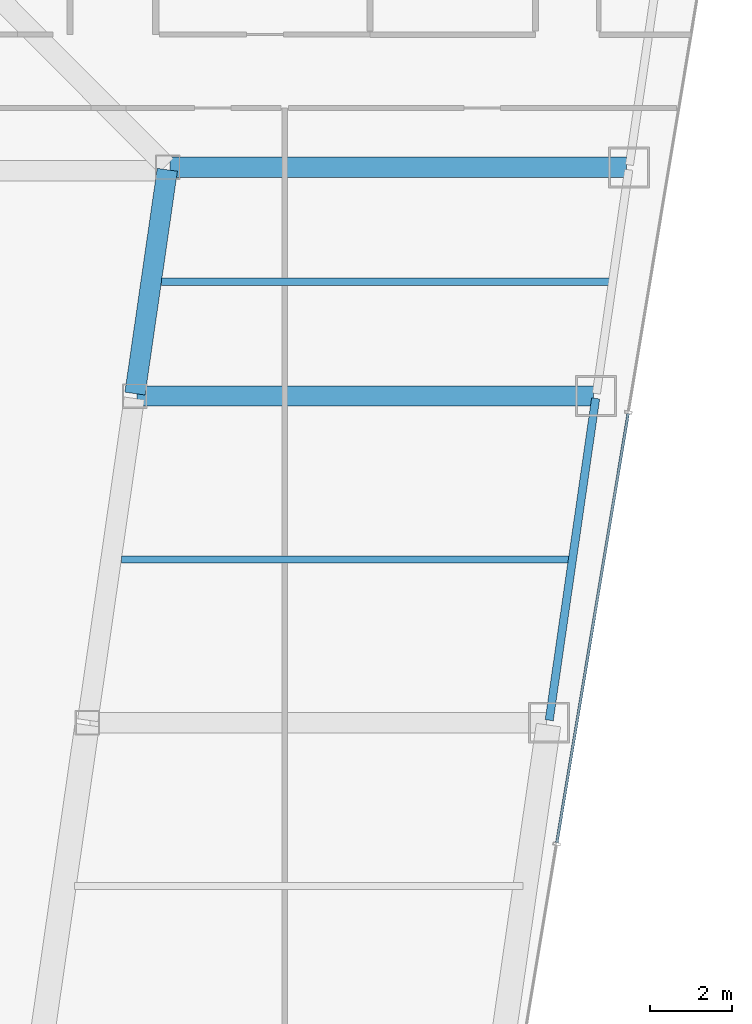
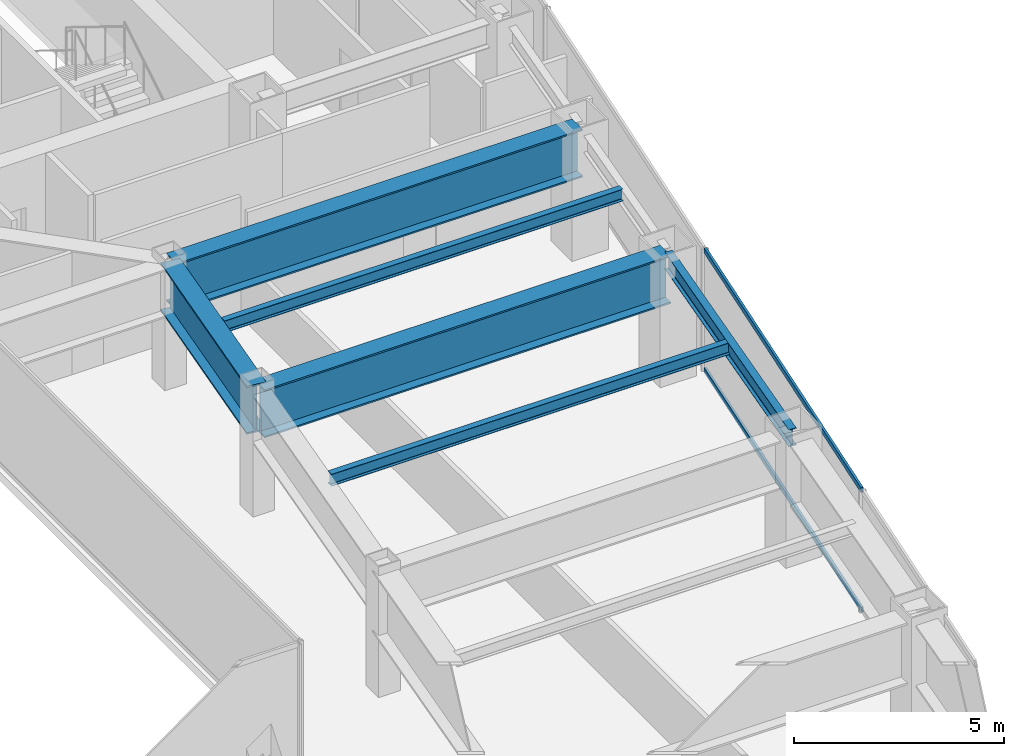
# One storey, part 17 of 37: 6 beams, 2 members, 1 element without a shape of its own.
"""IFC4 building model written with IfcOpenShell, lengths in metres."""

from ifc_helpers import new_model, si_unit, direction, frame, origin, origin_2d, place, context, subcontext, project, spatial, hollow_rectangle, i_section, extrude, material, material_profile, profile_set, type_object, element, aggregate, save


model = new_model("IFC4")

# Units and contexts
model_context = context("Model", 3, precision=1e-05, world=origin(), true_north=direction((0.0, 1.0)))
body_context = subcontext(model_context, "Body", "Model", "MODEL_VIEW")
ifc_project = project(units=[si_unit("LENGTHUNIT", "METRE"), si_unit("AREAUNIT", "SQUARE_METRE"), si_unit("VOLUMEUNIT", "CUBIC_METRE"), si_unit("PLANEANGLEUNIT", "RADIAN"), si_unit("MASSUNIT", "GRAM", prefix="KILO")], contexts=[model_context])

# Site, building, storey
site_placement = place(None, origin())
site = spatial("IfcSite", under=ifc_project, at=site_placement, CompositionType="ELEMENT")
building_placement = place(site_placement, origin())
building = spatial("IfcBuilding", under=site, at=building_placement, Name="Saevonmaru Cultural Tower", CompositionType="ELEMENT")
storey_placement = place(building_placement, frame((0.0, 0.0, 163.800048828125)))
storey = spatial("IfcBuildingStorey", under=building, at=storey_placement, Name="L36", CompositionType="ELEMENT", Elevation=163.800048828125)

# Beams
ifc_material_1 = material(Name="Steel SM355", Category="steel")
ifc_material_profile_1 = material_profile(ifc_material_1, i_section(OverallWidth=0.175048828125, OverallDepth=0.35009765625, WebThickness=0.007080078125, FlangeThickness=0.010986328125, FilletRadius=0.012939453125, at=origin_2d()), Name="H-350x175x7x11")
ifc_profile_set_1 = profile_set([ifc_material_profile_1], Name="Steel SM355")
beam_type_1 = type_object("IfcBeamType", Name="BM-J-H350", PredefinedType="JOIST", material=ifc_profile_set_1)
beam_1_placement = place(storey_placement, frame((40.0634765625, 28.0, 3.375), z_axis=(1.0, 0.0, 0.0), x_axis=(0.0, 1.0, 0.0)))
element("IfcBeam", 1, at=beam_1_placement, inside=storey, type_object=beam_type_1, Name="L36 East Wing Floor Joist 3", PredefinedType="JOIST", context=body_context, shape_type="SweptSolid", body=[
    extrude(i_section(OverallWidth=0.175048828125, OverallDepth=0.35009765625, WebThickness=0.007080078125, FlangeThickness=0.010986328125, FilletRadius=0.012939453125, at=origin_2d()), origin(), (0.0, 0.0, 1.0), 10.98193359375),
])
beam_2_placement = place(storey_placement, frame((41.04541015625, 34.800048828125, 3.375), z_axis=(1.0, 0.0, 0.0), x_axis=(0.0, 1.0, 0.0)))
element("IfcBeam", 2, at=beam_2_placement, inside=storey, type_object=beam_type_1, Name="L36 East Wing Floor Joist 4", PredefinedType="JOIST", context=body_context, shape_type="SweptSolid", body=[
    extrude(i_section(OverallWidth=0.175048828125, OverallDepth=0.35009765625, WebThickness=0.007080078125, FlangeThickness=0.010986328125, FilletRadius=0.012939453125, at=origin_2d()), origin(), (0.0, 0.0, 1.0), 10.982177734375),
])
ifc_material_profile_2 = material_profile(ifc_material_1, i_section(OverallWidth=0.199951171875, OverallDepth=0.5, WebThickness=0.010009765625, FlangeThickness=0.01611328125, FilletRadius=0.02001953125, at=origin_2d()), Name="H-500x200x10x16")
ifc_profile_set_2 = profile_set([ifc_material_profile_2], Name="Steel SM355")
beam_type_2 = type_object("IfcBeamType", Name="BM-SP-H500", PredefinedType="SPANDREL", material=ifc_profile_set_2)
beam_3_placement = place(storey_placement, frame((50.53662109375, 24.059326171875, 3.300048828125), z_axis=(0.142871999001, 0.989741174197, 0.0), x_axis=(-0.989741174197, 0.142871999001, 0.0)))
element("IfcBeam", 3, at=beam_3_placement, inside=storey, type_object=beam_type_2, Name="L36 East Splayed Spandrel 3", PredefinedType="SPANDREL", context=body_context, shape_type="SweptSolid", body=[
    extrude(i_section(OverallWidth=0.199951171875, OverallDepth=0.5, WebThickness=0.010009765625, FlangeThickness=0.01611328125, FilletRadius=0.02001953125, at=origin_2d()), origin(), (0.0, 0.0, 1.0), 7.963134765625),
])
ifc_material_2 = material(Name="Steel HSA600 (600 MPa)", Category="steel")
ifc_material_profile_3 = material_profile(ifc_material_2, i_section(OverallWidth=0.5, OverallDepth=1.39990234375, WebThickness=0.02392578125, FlangeThickness=0.044921875, at=origin_2d()), Name="PG-1400x500x24x45")
ifc_profile_set_3 = profile_set([ifc_material_profile_3], Name="Steel HSA600 (600 MPa)")
beam_type_3 = type_object("IfcBeamType", Name="BM-TG-PG1400", PredefinedType="BEAM", material=ifc_profile_set_3)
beam_4_placement = place(storey_placement, frame((40.3916015625, 32.059326171875, 2.849853515625), z_axis=(0.142964121327, 0.989727871697, 0.0), x_axis=(-0.989727871697, 0.142964121327, 0.0)))
element("IfcBeam", 4, at=beam_4_placement, inside=storey, type_object=beam_type_3, Name="L36 East Atrium Girder 4", PredefinedType="BEAM", context=body_context, shape_type="SweptSolid", body=[
    extrude(i_section(OverallWidth=0.5, OverallDepth=1.39990234375, WebThickness=0.02392578125, FlangeThickness=0.044921875, at=origin_2d()), origin(), (0.0, 0.0, 1.0), 5.5380859375),
])
for number, where, z_axis, x_axis, name in (
    (5, (40.443115234375, 32.0, 2.849853515625), (1.0, 0.0, 0.0), (0.0, 1.0, 0.0), "L36 East Wing Transverse Girder 4"),
    (6, (41.251953125, 37.60009765625, 2.849853515625), (1.0, 0.0, 0.0), (0.0, 1.0, 0.0), "L36 East Wing Transverse Girder 5"),
):
    element("IfcBeam", number, at=place(storey_placement, frame(where, z_axis=z_axis, x_axis=x_axis)), inside=storey, type_object=beam_type_3, Name=name, PredefinedType="BEAM", context=body_context, shape_type="SweptSolid", body=[
        extrude(i_section(OverallWidth=0.5, OverallDepth=1.39990234375, WebThickness=0.02392578125, FlangeThickness=0.044921875, at=origin_2d()), origin(), (0.0, 0.0, 1.0), 11.179931640625),
    ])

# Curtain wall, members
ifc_material_3 = material(Name="Satin Bronze Anodised Aluminium", Category="aluminium")
curtain_wall_type = type_object("IfcCurtainWallType", Name="CW-TYP-A", PredefinedType="NOTDEFINED", material=ifc_material_3)
curtain_wall_placement = place(storey_placement, origin())
curtain_wall = element("IfcCurtainWall", 7, at=curtain_wall_placement, inside=storey, type_object=curtain_wall_type, Name="L36 Unitised Curtain Wall E8", PredefinedType="NOTDEFINED")
ifc_material_profile_4 = material_profile(ifc_material_3, hollow_rectangle(XDim=0.06494140625, YDim=0.14990234375, WallThickness=0.00390625, at=origin_2d()), Name="ALU-TRAN-150x65x4")
ifc_profile_set_4 = profile_set([ifc_material_profile_4], Name="Satin Bronze Anodised Aluminium")
member_type = type_object("IfcMemberType", Name="TR-CW-150x65", PredefinedType="USERDEFINED", material=ifc_profile_set_4)
member_1_placement = place(storey_placement, frame((50.7236328125, 21.061767578125, 0.032470703125), z_axis=(0.163993787386, 0.98646137162, 0.0), x_axis=(-0.98646137162, 0.163993787386, 0.0)))
member_1 = element("IfcMember", 8, at=member_1_placement, type_object=member_type, Name="CW-TW-L36-E8 transom 2.1", ObjectType="TRANSOM", PredefinedType="USERDEFINED", context=body_context, shape_type="SweptSolid", body=[
    extrude(hollow_rectangle(XDim=0.06494140625, YDim=0.14990234375, WallThickness=0.00390625, at=origin_2d()), origin(), (0.0, 0.0, 1.0), 10.650390625),
])
member_2_placement = place(storey_placement, frame((50.7236328125, 21.061767578125, 3.517333984375), z_axis=(0.163993787386, 0.98646137162, 0.0), x_axis=(-0.98646137162, 0.163993787386, 0.0)))
member_2 = element("IfcMember", 9, at=member_2_placement, type_object=member_type, Name="CW-TW-L36-E8 transom 2.2", ObjectType="TRANSOM", PredefinedType="USERDEFINED", context=body_context, shape_type="SweptSolid", body=[
    extrude(hollow_rectangle(XDim=0.06494140625, YDim=0.14990234375, WallThickness=0.00390625, at=origin_2d()), origin(), (0.0, 0.0, 1.0), 10.650390625),
])
aggregate(curtain_wall, [member_1, member_2])

save(model, "model.ifc")
